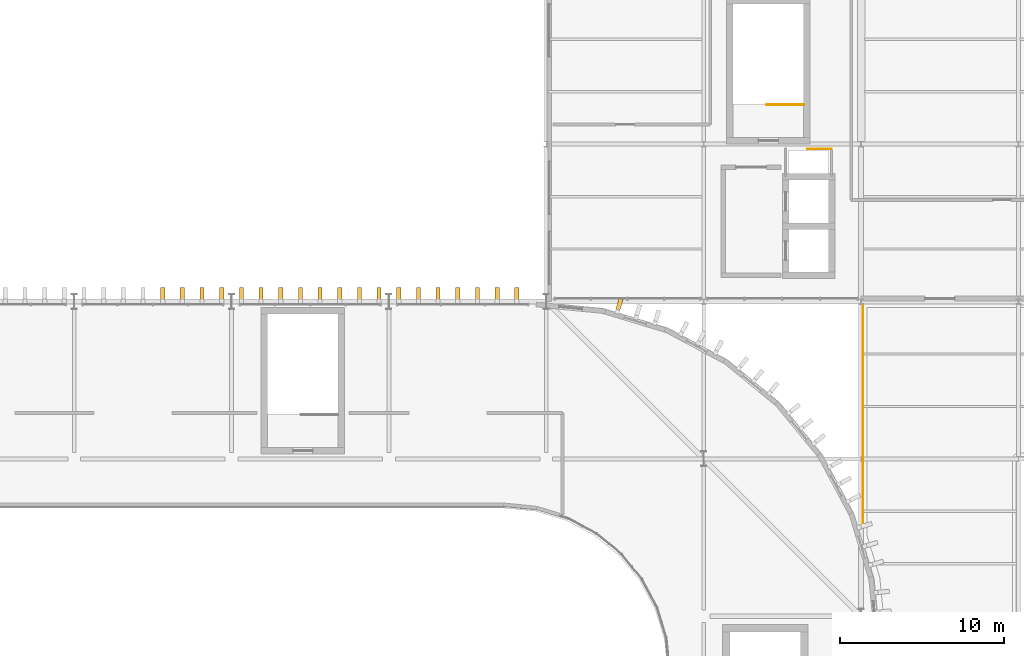
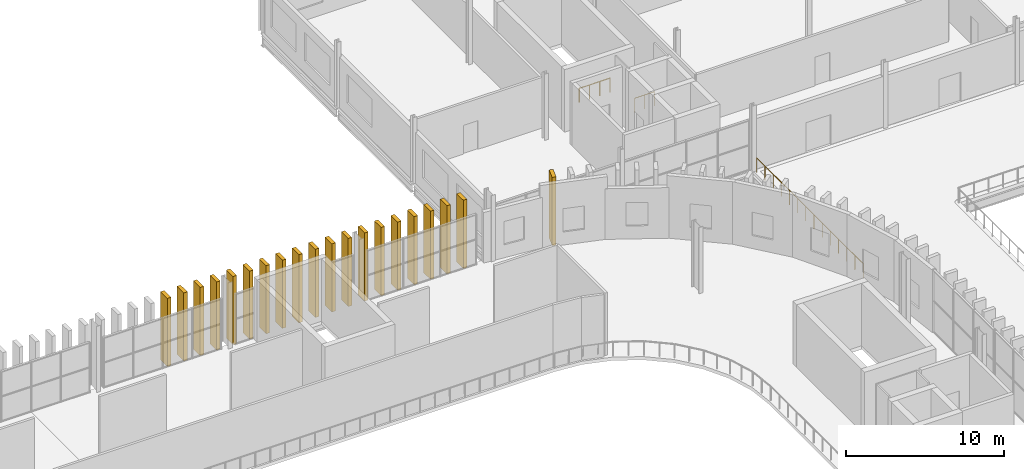
# One storey, part 45 of 45: 20 coverings, 3 railings.
"""IFC4 building model written with IfcOpenShell, lengths in metres."""

from ifc_helpers import new_model, si_unit, direction, frame, origin, origin_2d, place, context, subcontext, project, spatial, rectangle, circle, extrude, material, material_profile, profile_set, type_object, element, save


model = new_model("IFC4")

# Units and contexts
model_context = context("Model", 3, precision=1e-05, world=origin(), true_north=direction((0.0, 1.0)))
body_context = subcontext(model_context, "Body", "Model", "MODEL_VIEW")
ifc_project = project(units=[si_unit("LENGTHUNIT", "METRE"), si_unit("AREAUNIT", "SQUARE_METRE"), si_unit("VOLUMEUNIT", "CUBIC_METRE"), si_unit("PLANEANGLEUNIT", "RADIAN"), si_unit("MASSUNIT", "GRAM", prefix="KILO")], contexts=[model_context])

# Site, building, storey
site_placement = place(None, origin())
site = spatial("IfcSite", under=ifc_project, at=site_placement, CompositionType="ELEMENT")
building_placement = place(site_placement, origin())
building = spatial("IfcBuilding", under=site, at=building_placement, Name="Caelomonte Colonnade Arena", CompositionType="ELEMENT")
storey_placement = place(building_placement, frame((0.0, 0.0, 23.10009765625)))
storey = spatial("IfcBuildingStorey", under=building, at=storey_placement, Name="L05", CompositionType="ELEMENT", Elevation=23.10009765625)

# Coverings
ifc_material_1 = material(Name="Precast travertine cladding", Category="masonry")
ifc_material_profile = material_profile(ifc_material_1, rectangle(XDim=0.260009765625, YDim=0.85009765625, at=origin_2d()), Name="FIN260X850")
ifc_profile_set = profile_set([ifc_material_profile], Name="Precast travertine cladding")
covering_type = type_object("IfcCoveringType", Name="ENV-FN-SHAFT", PredefinedType="CLADDING", material=ifc_profile_set)
for number, where, z_axis, x_axis, name in (
    (1, (148.4404296875, 114.9501953125, -0.16015625), (0.0, 0.0, 1.0), (0.956942868907, -0.290276326364, 0.0), "V1 L05 classical travertine vertical fin 89"),
    (2, (142.199951171875, 115.62109375, -0.16015625), (0.0, 0.0, 1.0), (1.0, 0.0, 0.0), "V1 L05 classical travertine vertical fin 93"),
    (3, (141.0, 115.62109375, -0.16015625), (0.0, 0.0, 1.0), (1.0, 0.0, 0.0), "V1 L05 classical travertine vertical fin 94"),
    (4, (139.800048828125, 115.62109375, -0.16015625), (0.0, 0.0, 1.0), (1.0, 0.0, 0.0), "V1 L05 classical travertine vertical fin 95"),
    (5, (138.60009765625, 115.62109375, -0.16015625), (0.0, 0.0, 1.0), (1.0, 0.0, 0.0), "V1 L05 classical travertine vertical fin 96"),
    (6, (137.39990234375, 115.62109375, -0.16015625), (0.0, 0.0, 1.0), (1.0, 0.0, 0.0), "V1 L05 classical travertine vertical fin 97"),
    (7, (136.199951171875, 115.62109375, -0.16015625), (0.0, 0.0, 1.0), (1.0, 0.0, 0.0), "V1 L05 classical travertine vertical fin 98"),
    (8, (135.0, 115.62109375, -0.16015625), (0.0, 0.0, 1.0), (1.0, 0.0, 0.0), "V1 L05 classical travertine vertical fin 99"),
    (9, (133.800048828125, 115.62109375, -0.16015625), (0.0, 0.0, 1.0), (1.0, 0.0, 0.0), "V1 L05 classical travertine vertical fin 100"),
    (10, (132.60009765625, 115.62109375, -0.16015625), (0.0, 0.0, 1.0), (1.0, 0.0, 0.0), "V1 L05 classical travertine vertical fin 101"),
    (11, (131.39990234375, 115.62109375, -0.16015625), (0.0, 0.0, 1.0), (1.0, 0.0, 0.0), "V1 L05 classical travertine vertical fin 102"),
    (12, (130.199951171875, 115.62109375, -0.16015625), (0.0, 0.0, 1.0), (1.0, 0.0, 0.0), "V1 L05 classical travertine vertical fin 103"),
    (13, (129.0, 115.62109375, -0.16015625), (0.0, 0.0, 1.0), (1.0, 0.0, 0.0), "V1 L05 classical travertine vertical fin 104"),
    (14, (127.800048828125, 115.62109375, -0.16015625), (0.0, 0.0, 1.0), (1.0, 0.0, 0.0), "V1 L05 classical travertine vertical fin 105"),
    (15, (126.60009765625, 115.62109375, -0.16015625), (0.0, 0.0, 1.0), (1.0, 0.0, 0.0), "V1 L05 classical travertine vertical fin 106"),
    (16, (125.39990234375, 115.62109375, -0.16015625), (0.0, 0.0, 1.0), (1.0, 0.0, 0.0), "V1 L05 classical travertine vertical fin 107"),
    (17, (124.199951171875, 115.62109375, -0.16015625), (0.0, 0.0, 1.0), (1.0, 0.0, 0.0), "V1 L05 classical travertine vertical fin 108"),
    (18, (123.0, 115.62109375, -0.16015625), (0.0, 0.0, 1.0), (1.0, 0.0, 0.0), "V1 L05 classical travertine vertical fin 109"),
    (19, (121.800048828125, 115.62109375, -0.16015625), (0.0, 0.0, 1.0), (1.0, 0.0, 0.0), "V1 L05 classical travertine vertical fin 110"),
    (20, (120.60009765625, 115.62109375, -0.16015625), (0.0, 0.0, 1.0), (1.0, 0.0, 0.0), "V1 L05 classical travertine vertical fin 111"),
):
    element("IfcCovering", number, at=place(storey_placement, frame(where, z_axis=z_axis, x_axis=x_axis)), inside=storey, type_object=covering_type, Name=name, PredefinedType="CLADDING", context=body_context, shape_type="SweptSolid", body=[
        extrude(rectangle(XDim=0.260009765625, YDim=0.85009765625, at=origin_2d()), origin(), (0.0, 0.0, 1.0), 5.260009765625),
    ])

# Railings
ifc_material_2 = material(Name="Travertine limestone and bronze balustrade", Category="masonry")
railing_type_1 = type_object("IfcRailingType", Name="ENV-RL-BAL1", PredefinedType="BALUSTRADE", material=ifc_material_2)
railing_1_placement = place(storey_placement, frame((163.320068359375, 101.49169921875, 0.0)))
element("IfcRailing", 21, at=railing_1_placement, inside=storey, type_object=railing_type_1, Name="Media Sky Courtyard Terrace perimeter guard 1", PredefinedType="BALUSTRADE", context=body_context, shape_type="SweptSolid", body=[
    extrude(circle(Radius=0.02392578125, at=origin_2d()), frame((0.0, 0.0, 1.09619140625), z_axis=(0.0, 1.0, 0.0), x_axis=(-1.0, 0.0, 0.0)), (0.0, 0.0, 1.0), 13.42822265625),
    extrude(circle(Radius=0.02099609375, at=origin_2d()), origin(), (0.0, 0.0, 1.0), 1.068115234375),
    extrude(circle(Radius=0.02099609375, at=origin_2d()), frame((0.0, 1.032958984375, 0.0)), (0.0, 0.0, 1.0), 1.068115234375),
    extrude(circle(Radius=0.02099609375, at=origin_2d()), frame((0.0, 2.06591796875, 0.0)), (0.0, 0.0, 1.0), 1.068115234375),
    extrude(circle(Radius=0.02099609375, at=origin_2d()), frame((0.0, 3.098876953125, 0.0)), (0.0, 0.0, 1.0), 1.068115234375),
    extrude(circle(Radius=0.02099609375, at=origin_2d()), frame((0.0, 4.1318359375, 0.0)), (0.0, 0.0, 1.0), 1.068115234375),
    extrude(circle(Radius=0.02099609375, at=origin_2d()), frame((0.0, 5.164794921875, 0.0)), (0.0, 0.0, 1.0), 1.068115234375),
    extrude(circle(Radius=0.02099609375, at=origin_2d()), frame((0.0, 6.19775390625, 0.0)), (0.0, 0.0, 1.0), 1.068115234375),
    extrude(circle(Radius=0.02099609375, at=origin_2d()), frame((0.0, 7.23046875, 0.0)), (0.0, 0.0, 1.0), 1.068115234375),
    extrude(circle(Radius=0.02099609375, at=origin_2d()), frame((0.0, 8.263427734375, 0.0)), (0.0, 0.0, 1.0), 1.068115234375),
    extrude(circle(Radius=0.02099609375, at=origin_2d()), frame((0.0, 9.29638671875, 0.0)), (0.0, 0.0, 1.0), 1.068115234375),
    extrude(circle(Radius=0.02099609375, at=origin_2d()), frame((0.0, 10.329345703125, 0.0)), (0.0, 0.0, 1.0), 1.068115234375),
    extrude(circle(Radius=0.02099609375, at=origin_2d()), frame((0.0, 11.3623046875, 0.0)), (0.0, 0.0, 1.0), 1.068115234375),
    extrude(circle(Radius=0.02099609375, at=origin_2d()), frame((0.0, 12.395263671875, 0.0)), (0.0, 0.0, 1.0), 1.068115234375),
    extrude(circle(Radius=0.02099609375, at=origin_2d()), frame((0.0, 13.42822265625, 0.0)), (0.0, 0.0, 1.0), 1.068115234375),
])
ifc_material_3 = material(Name="Painted galvanized steel stair guard", Category="steel")
railing_type_2 = type_object("IfcRailingType", Name="INT-RL-GRD", PredefinedType="GUARDRAIL", material=ifc_material_3)
railing_2_placement = place(storey_placement, frame((159.699951171875, 127.199951171875, 0.0)))
element("IfcRailing", 22, at=railing_2_placement, inside=storey, type_object=railing_type_2, Name="L05 ST-06 top well guard 1", PredefinedType="GUARDRAIL", context=body_context, shape_type="SweptSolid", body=[
    extrude(circle(Radius=0.02392578125, at=origin_2d()), frame((0.0, 0.0, 1.076171875), z_axis=(-1.0, 0.0, 0.0), x_axis=(0.0, -1.0, 0.0)), (0.0, 0.0, 1.0), 2.25),
    extrude(circle(Radius=0.02099609375, at=origin_2d()), origin(), (0.0, 0.0, 1.0), 1.048095703125),
    extrude(circle(Radius=0.02099609375, at=origin_2d()), frame((-0.75, 0.0, 0.0)), (0.0, 0.0, 1.0), 1.048095703125),
    extrude(circle(Radius=0.02099609375, at=origin_2d()), frame((-1.5, 0.0, 0.0)), (0.0, 0.0, 1.0), 1.048095703125),
    extrude(circle(Radius=0.02099609375, at=origin_2d()), frame((-2.25, 0.0, 0.0)), (0.0, 0.0, 1.0), 1.048095703125),
])
railing_3_placement = place(storey_placement, frame((159.949951171875, 124.5, 0.0)))
element("IfcRailing", 23, at=railing_3_placement, inside=storey, type_object=railing_type_2, Name="Core C6 L05 riser opening guard", PredefinedType="GUARDRAIL", context=body_context, shape_type="SweptSolid", body=[
    extrude(circle(Radius=0.02392578125, at=origin_2d()), frame((0.0, 0.0, 1.076171875), z_axis=(1.0, 0.0, 0.0), x_axis=(0.0, 1.0, 0.0)), (0.0, 0.0, 1.0), 1.449951171875),
    extrude(circle(Radius=0.02099609375, at=origin_2d()), origin(), (0.0, 0.0, 1.0), 1.048095703125),
    extrude(circle(Radius=0.02099609375, at=origin_2d()), frame((0.72509765625, 0.0, 0.0)), (0.0, 0.0, 1.0), 1.048095703125),
    extrude(circle(Radius=0.02099609375, at=origin_2d()), frame((1.449951171875, 0.0, 0.0)), (0.0, 0.0, 1.0), 1.048095703125),
])

save(model, "model.ifc")
